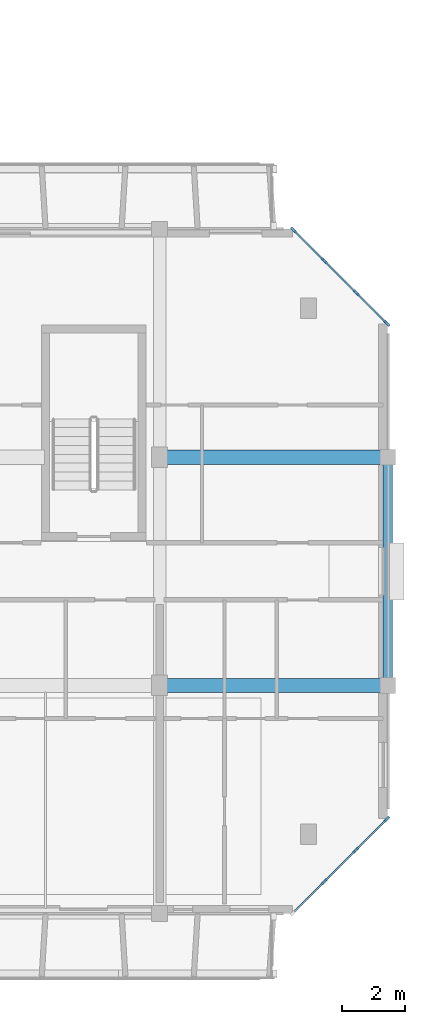
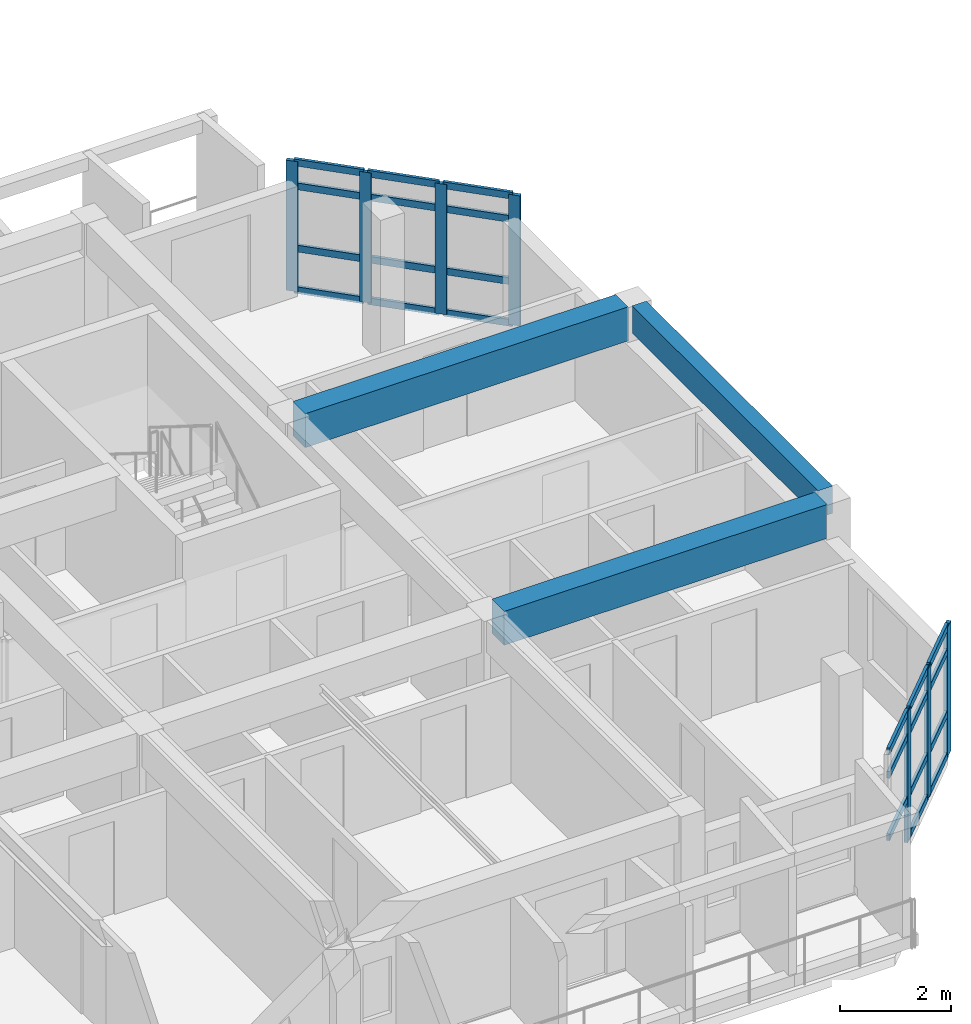
# One storey, part 8 of 45: 30 members, 3 beams, 2 elements without a shape of their own.
"""IFC4 building model written with IfcOpenShell, lengths in metres."""

from ifc_helpers import new_model, si_unit, direction, frame, origin, origin_2d, place, context, subcontext, project, spatial, rectangle, extrude, material, layer, layer_set, material_profile, profile_set, type_object, element, aggregate, save


model = new_model("IFC4")

# Units and contexts
model_context = context("Model", 3, precision=1e-05, world=origin(), true_north=direction((0.0, 1.0)))
body_context = subcontext(model_context, "Body", "Model", "MODEL_VIEW")
ifc_project = project(units=[si_unit("LENGTHUNIT", "METRE"), si_unit("AREAUNIT", "SQUARE_METRE"), si_unit("VOLUMEUNIT", "CUBIC_METRE"), si_unit("PLANEANGLEUNIT", "RADIAN"), si_unit("MASSUNIT", "GRAM", prefix="KILO")], contexts=[model_context])

# Site, building, storey
site_placement = place(None, origin())
site = spatial("IfcSite", under=ifc_project, at=site_placement, CompositionType="ELEMENT")
building_placement = place(site_placement, origin())
building = spatial("IfcBuilding", under=site, at=building_placement, Name="Ochrevale Crest", CompositionType="ELEMENT")
storey_placement = place(building_placement, frame((0.0, 0.0, 18.14990234375)))
storey = spatial("IfcBuildingStorey", under=building, at=storey_placement, Name="L05", CompositionType="ELEMENT", Elevation=18.14990234375)

# Beams
ifc_material_1 = material(Name="Concrete C50/60", Category="concrete")
ifc_material_profile_1 = material_profile(ifc_material_1, rectangle(XDim=0.449951171875, YDim=0.75, at=origin_2d()), Name="RC 450x750")
ifc_profile_set_1 = profile_set([ifc_material_profile_1], Name="Concrete C50/60")
beam_type_1 = type_object("IfcBeamType", Name="BM-PG450x750", PredefinedType="USERDEFINED", material=ifc_profile_set_1)
for number, where, z_axis, x_axis, name in (
    (1, (158.625, 21.60009765625, 2.775146484375), (1.0, 0.0, 0.0), (0.0, 1.0, 0.0), "Block C L05 E-W beam Y=21.6"),
    (2, (158.625, 28.800048828125, 2.775146484375), (1.0, 0.0, 0.0), (0.0, 1.0, 0.0), "Block C L05 E-W beam Y=28.8"),
):
    element("IfcBeam", number, at=place(storey_placement, frame(where, z_axis=z_axis, x_axis=x_axis)), inside=storey, type_object=beam_type_1, Name=name, ObjectType="GIRDER", PredefinedType="USERDEFINED", context=body_context, shape_type="SweptSolid", body=[
        extrude(rectangle(XDim=0.449951171875, YDim=0.75, at=origin_2d()), origin(), (0.0, 0.0, 1.0), 6.75),
    ])
ifc_material_2 = material(Name="Precast concrete C40/50", Category="concrete")
ifc_material_profile_2 = material_profile(ifc_material_2, rectangle(XDim=0.300048828125, YDim=0.60009765625, at=origin_2d()), Name="PC 300x600")
ifc_profile_set_2 = profile_set([ifc_material_profile_2], Name="Precast concrete C40/50")
beam_type_2 = type_object("IfcBeamType", Name="BM-SP300x600", PredefinedType="SPANDREL", material=ifc_profile_set_2)
beam_placement = place(storey_placement, frame((165.60009765625, 21.830078125, 2.85009765625), z_axis=(0.0, 1.0, 0.0), x_axis=(-1.0, 0.0, 0.0)))
element("IfcBeam", 3, at=beam_placement, inside=storey, type_object=beam_type_2, Name="Block C L05 N-S beam X=165.6", PredefinedType="SPANDREL", context=body_context, shape_type="SweptSolid", body=[
    extrude(rectangle(XDim=0.300048828125, YDim=0.60009765625, at=origin_2d()), origin(), (0.0, 0.0, 1.0), 6.739990234375),
])

# Curtain wall, members
ifc_material_3 = material(Name="Anodised aluminium 6063-T5", Category="aluminium")
ifc_layer_1 = layer(ifc_material_3, 0.14990234375)
ifc_layer_set_1 = layer_set([ifc_layer_1], Name="Anodised aluminium 6063-T5")
curtain_wall_type_1 = type_object("IfcCurtainWallType", Name="CW-WG-320x285", PredefinedType="NOTDEFINED", material=ifc_layer_set_1)
curtain_wall_1_placement = place(storey_placement, origin())
curtain_wall_1 = element("IfcCurtainWall", 4, at=curtain_wall_1_placement, inside=storey, type_object=curtain_wall_type_1, Name="Block C L05 chamfered corner wintergarden curtain wall 2", PredefinedType="NOTDEFINED")
ifc_material_profile_3 = material_profile(ifc_material_3, rectangle(XDim=0.074951171875, YDim=0.219970703125, at=origin_2d()), Name="ALU 75x220")
ifc_profile_set_3 = profile_set([ifc_material_profile_3], Name="Anodised aluminium 6063-T5")
member_type_1 = type_object("IfcMemberType", Name="CW-MUL-75x220", PredefinedType="MULLION", material=ifc_profile_set_3)
member_1_placement = place(storey_placement, frame((163.60009765625, 15.39990234375, 0.0), z_axis=(0.0, 0.0, 1.0), x_axis=(-0.707106781187, 0.707106781187, 0.0)))
member_1 = element("IfcMember", 5, at=member_1_placement, type_object=member_type_1, Name="CW17 mullion 2", PredefinedType="MULLION", context=body_context, shape_type="SweptSolid", body=[
    extrude(rectangle(XDim=0.074951171875, YDim=0.219970703125, at=origin_2d()), origin(), (0.0, 0.0, 1.0), 2.875),
])
member_2_placement = place(storey_placement, frame((164.60009765625, 16.39990234375, 0.0), z_axis=(0.0, 0.0, 1.0), x_axis=(-0.707106781187, 0.707106781187, 0.0)))
member_2 = element("IfcMember", 6, at=member_2_placement, type_object=member_type_1, Name="CW17 mullion 3", PredefinedType="MULLION", context=body_context, shape_type="SweptSolid", body=[
    extrude(rectangle(XDim=0.074951171875, YDim=0.219970703125, at=origin_2d()), origin(), (0.0, 0.0, 1.0), 2.875),
])
member_3_placement = place(storey_placement, frame((165.573486328125, 17.37353515625, 0.0), z_axis=(0.0, 0.0, 1.0), x_axis=(-0.707106781187, 0.707106781187, 0.0)))
member_3 = element("IfcMember", 7, at=member_3_placement, type_object=member_type_1, Name="CW17 mullion 4", PredefinedType="MULLION", context=body_context, shape_type="SweptSolid", body=[
    extrude(rectangle(XDim=0.074951171875, YDim=0.219970703125, at=origin_2d()), origin(), (0.0, 0.0, 1.0), 2.875),
])

ifc_layer_2 = layer(ifc_material_3, 0.14990234375)
ifc_layer_set_2 = layer_set([ifc_layer_2], Name="Anodised aluminium 6063-T5")
curtain_wall_type_2 = type_object("IfcCurtainWallType", Name="CW-WG-420x285", PredefinedType="NOTDEFINED", material=ifc_layer_set_2)
curtain_wall_2_placement = place(storey_placement, origin())
curtain_wall_2 = element("IfcCurtainWall", 8, at=curtain_wall_2_placement, inside=storey, type_object=curtain_wall_type_2, Name="Block C L05 chamfered corner wintergarden curtain wall 4", PredefinedType="NOTDEFINED")
member_4_placement = place(storey_placement, frame((165.573486328125, 33.026611328125, 0.0), z_axis=(0.0, 0.0, 1.0), x_axis=(-0.707106781187, -0.707106781187, 0.0)))
member_4 = element("IfcMember", 9, at=member_4_placement, type_object=member_type_1, Name="CW22 mullion 1", PredefinedType="MULLION", context=body_context, shape_type="SweptSolid", body=[
    extrude(rectangle(XDim=0.074951171875, YDim=0.219970703125, at=origin_2d()), origin(), (0.0, 0.0, 1.0), 2.875),
])
member_5_placement = place(storey_placement, frame((164.60009765625, 34.0, 0.0), z_axis=(0.0, 0.0, 1.0), x_axis=(-0.707106781187, -0.707106781187, 0.0)))
member_5 = element("IfcMember", 10, at=member_5_placement, type_object=member_type_1, Name="CW22 mullion 2", PredefinedType="MULLION", context=body_context, shape_type="SweptSolid", body=[
    extrude(rectangle(XDim=0.074951171875, YDim=0.219970703125, at=origin_2d()), origin(), (0.0, 0.0, 1.0), 2.875),
])
member_6_placement = place(storey_placement, frame((163.60009765625, 35.0, 0.0), z_axis=(0.0, 0.0, 1.0), x_axis=(-0.707106781187, -0.707106781187, 0.0)))
member_6 = element("IfcMember", 11, at=member_6_placement, type_object=member_type_1, Name="CW22 mullion 3", PredefinedType="MULLION", context=body_context, shape_type="SweptSolid", body=[
    extrude(rectangle(XDim=0.074951171875, YDim=0.219970703125, at=origin_2d()), origin(), (0.0, 0.0, 1.0), 2.875),
])
member_7_placement = place(storey_placement, frame((162.62646484375, 35.973388671875, 0.0), z_axis=(0.0, 0.0, 1.0), x_axis=(-0.707106781187, -0.707106781187, 0.0)))
member_7 = element("IfcMember", 12, at=member_7_placement, type_object=member_type_1, Name="CW22 mullion 4", PredefinedType="MULLION", context=body_context, shape_type="SweptSolid", body=[
    extrude(rectangle(XDim=0.074951171875, YDim=0.219970703125, at=origin_2d()), origin(), (0.0, 0.0, 1.0), 2.875),
])

# Member
ifc_material_profile_4 = material_profile(ifc_material_3, rectangle(XDim=0.06005859375, YDim=0.14990234375, at=origin_2d()), Name="ALU 60x150")
ifc_profile_set_4 = profile_set([ifc_material_profile_4], Name="Anodised aluminium 6063-T5")
member_type_2 = type_object("IfcMemberType", Name="CW-TRN-60x150", PredefinedType="USERDEFINED", material=ifc_profile_set_4)
member_8_placement = place(storey_placement, frame((162.653076171875, 14.453125, 0.9501953125), z_axis=(0.707106781187, 0.707106781187, 0.0), x_axis=(-0.707106781187, 0.707106781187, 0.0)))
member_8 = element("IfcMember", 13, at=member_8_placement, type_object=member_type_2, Name="CW17 transom 1.2", ObjectType="TRANSOM", PredefinedType="USERDEFINED", context=body_context, shape_type="SweptSolid", body=[
    extrude(rectangle(XDim=0.06005859375, YDim=0.14990234375, at=origin_2d()), origin(), (0.0, 0.0, 1.0), 1.3017578125),
])

member_9_placement = place(storey_placement, frame((162.653076171875, 14.453125, 2.3251953125), z_axis=(0.707106781187, 0.707106781187, 0.0), x_axis=(-0.707106781187, 0.707106781187, 0.0)))
member_9 = element("IfcMember", 14, at=member_9_placement, type_object=member_type_2, Name="CW17 transom 1.3", ObjectType="TRANSOM", PredefinedType="USERDEFINED", context=body_context, shape_type="SweptSolid", body=[
    extrude(rectangle(XDim=0.06005859375, YDim=0.14990234375, at=origin_2d()), origin(), (0.0, 0.0, 1.0), 1.3017578125),
])

member_10_placement = place(storey_placement, frame((162.653076171875, 14.453125, 2.84521484375), z_axis=(0.707106781187, 0.707106781187, 0.0), x_axis=(-0.707106781187, 0.707106781187, 0.0)))
member_10 = element("IfcMember", 15, at=member_10_placement, type_object=member_type_2, Name="CW17 transom 1.4", ObjectType="TRANSOM", PredefinedType="USERDEFINED", context=body_context, shape_type="SweptSolid", body=[
    extrude(rectangle(XDim=0.06005859375, YDim=0.14990234375, at=origin_2d()), origin(), (0.0, 0.0, 1.0), 1.3017578125),
])

member_11_placement = place(storey_placement, frame((163.62646484375, 15.426513671875, 0.030029296875), z_axis=(0.707106781187, 0.707106781187, 0.0), x_axis=(-0.707106781187, 0.707106781187, 0.0)))
member_11 = element("IfcMember", 16, at=member_11_placement, type_object=member_type_2, Name="CW17 transom 2.1", ObjectType="TRANSOM", PredefinedType="USERDEFINED", context=body_context, shape_type="SweptSolid", body=[
    extrude(rectangle(XDim=0.06005859375, YDim=0.14990234375, at=origin_2d()), origin(), (0.0, 0.0, 1.0), 1.33935546875),
])

member_12_placement = place(storey_placement, frame((163.62646484375, 15.426513671875, 0.9501953125), z_axis=(0.707106781187, 0.707106781187, 0.0), x_axis=(-0.707106781187, 0.707106781187, 0.0)))
member_12 = element("IfcMember", 17, at=member_12_placement, type_object=member_type_2, Name="CW17 transom 2.2", ObjectType="TRANSOM", PredefinedType="USERDEFINED", context=body_context, shape_type="SweptSolid", body=[
    extrude(rectangle(XDim=0.06005859375, YDim=0.14990234375, at=origin_2d()), origin(), (0.0, 0.0, 1.0), 1.33935546875),
])

member_13_placement = place(storey_placement, frame((163.62646484375, 15.426513671875, 2.3251953125), z_axis=(0.707106781187, 0.707106781187, 0.0), x_axis=(-0.707106781187, 0.707106781187, 0.0)))
member_13 = element("IfcMember", 18, at=member_13_placement, type_object=member_type_2, Name="CW17 transom 2.3", ObjectType="TRANSOM", PredefinedType="USERDEFINED", context=body_context, shape_type="SweptSolid", body=[
    extrude(rectangle(XDim=0.06005859375, YDim=0.14990234375, at=origin_2d()), origin(), (0.0, 0.0, 1.0), 1.33935546875),
])

member_14_placement = place(storey_placement, frame((163.62646484375, 15.426513671875, 2.84521484375), z_axis=(0.707106781187, 0.707106781187, 0.0), x_axis=(-0.707106781187, 0.707106781187, 0.0)))
member_14 = element("IfcMember", 19, at=member_14_placement, type_object=member_type_2, Name="CW17 transom 2.4", ObjectType="TRANSOM", PredefinedType="USERDEFINED", context=body_context, shape_type="SweptSolid", body=[
    extrude(rectangle(XDim=0.06005859375, YDim=0.14990234375, at=origin_2d()), origin(), (0.0, 0.0, 1.0), 1.33935546875),
])

member_15_placement = place(storey_placement, frame((164.62646484375, 16.426513671875, 0.030029296875), z_axis=(0.707106781187, 0.707106781187, 0.0), x_axis=(-0.707106781187, 0.707106781187, 0.0)))
member_15 = element("IfcMember", 20, at=member_15_placement, type_object=member_type_2, Name="CW17 transom 3.1", ObjectType="TRANSOM", PredefinedType="USERDEFINED", context=body_context, shape_type="SweptSolid", body=[
    extrude(rectangle(XDim=0.06005859375, YDim=0.14990234375, at=origin_2d()), origin(), (0.0, 0.0, 1.0), 1.3017578125),
])

member_16_placement = place(storey_placement, frame((164.62646484375, 16.426513671875, 0.9501953125), z_axis=(0.707106781187, 0.707106781187, 0.0), x_axis=(-0.707106781187, 0.707106781187, 0.0)))
member_16 = element("IfcMember", 21, at=member_16_placement, type_object=member_type_2, Name="CW17 transom 3.2", ObjectType="TRANSOM", PredefinedType="USERDEFINED", context=body_context, shape_type="SweptSolid", body=[
    extrude(rectangle(XDim=0.06005859375, YDim=0.14990234375, at=origin_2d()), origin(), (0.0, 0.0, 1.0), 1.3017578125),
])

member_17_placement = place(storey_placement, frame((164.62646484375, 16.426513671875, 2.3251953125), z_axis=(0.707106781187, 0.707106781187, 0.0), x_axis=(-0.707106781187, 0.707106781187, 0.0)))
member_17 = element("IfcMember", 22, at=member_17_placement, type_object=member_type_2, Name="CW17 transom 3.3", ObjectType="TRANSOM", PredefinedType="USERDEFINED", context=body_context, shape_type="SweptSolid", body=[
    extrude(rectangle(XDim=0.06005859375, YDim=0.14990234375, at=origin_2d()), origin(), (0.0, 0.0, 1.0), 1.3017578125),
])

member_18_placement = place(storey_placement, frame((164.62646484375, 16.426513671875, 2.84521484375), z_axis=(0.707106781187, 0.707106781187, 0.0), x_axis=(-0.707106781187, 0.707106781187, 0.0)))
member_18 = element("IfcMember", 23, at=member_18_placement, type_object=member_type_2, Name="CW17 transom 3.4", ObjectType="TRANSOM", PredefinedType="USERDEFINED", context=body_context, shape_type="SweptSolid", body=[
    extrude(rectangle(XDim=0.06005859375, YDim=0.14990234375, at=origin_2d()), origin(), (0.0, 0.0, 1.0), 1.3017578125),
])

aggregate(curtain_wall_1, [member_1, member_2, member_3, member_8, member_9, member_10, member_11, member_12, member_13, member_14, member_15, member_16, member_17, member_18])

member_19_placement = place(storey_placement, frame((165.546875, 33.052978515625, 0.030029296875), z_axis=(-0.707106781187, 0.707106781187, 0.0), x_axis=(-0.707106781187, -0.707106781187, 0.0)))
member_19 = element("IfcMember", 24, at=member_19_placement, type_object=member_type_2, Name="CW22 transom 1.1", ObjectType="TRANSOM", PredefinedType="USERDEFINED", context=body_context, shape_type="SweptSolid", body=[
    extrude(rectangle(XDim=0.06005859375, YDim=0.14990234375, at=origin_2d()), origin(), (0.0, 0.0, 1.0), 1.3017578125),
])

member_20_placement = place(storey_placement, frame((165.546875, 33.052978515625, 0.9501953125), z_axis=(-0.707106781187, 0.707106781187, 0.0), x_axis=(-0.707106781187, -0.707106781187, 0.0)))
member_20 = element("IfcMember", 25, at=member_20_placement, type_object=member_type_2, Name="CW22 transom 1.2", ObjectType="TRANSOM", PredefinedType="USERDEFINED", context=body_context, shape_type="SweptSolid", body=[
    extrude(rectangle(XDim=0.06005859375, YDim=0.14990234375, at=origin_2d()), origin(), (0.0, 0.0, 1.0), 1.3017578125),
])

member_21_placement = place(storey_placement, frame((165.546875, 33.052978515625, 2.3251953125), z_axis=(-0.707106781187, 0.707106781187, 0.0), x_axis=(-0.707106781187, -0.707106781187, 0.0)))
member_21 = element("IfcMember", 26, at=member_21_placement, type_object=member_type_2, Name="CW22 transom 1.3", ObjectType="TRANSOM", PredefinedType="USERDEFINED", context=body_context, shape_type="SweptSolid", body=[
    extrude(rectangle(XDim=0.06005859375, YDim=0.14990234375, at=origin_2d()), origin(), (0.0, 0.0, 1.0), 1.3017578125),
])

member_22_placement = place(storey_placement, frame((165.546875, 33.052978515625, 2.84521484375), z_axis=(-0.707106781187, 0.707106781187, 0.0), x_axis=(-0.707106781187, -0.707106781187, 0.0)))
member_22 = element("IfcMember", 27, at=member_22_placement, type_object=member_type_2, Name="CW22 transom 1.4", ObjectType="TRANSOM", PredefinedType="USERDEFINED", context=body_context, shape_type="SweptSolid", body=[
    extrude(rectangle(XDim=0.06005859375, YDim=0.14990234375, at=origin_2d()), origin(), (0.0, 0.0, 1.0), 1.3017578125),
])

member_23_placement = place(storey_placement, frame((164.573486328125, 34.026611328125, 0.030029296875), z_axis=(-0.707197932559, 0.707015618062, 0.0), x_axis=(-0.707015618062, -0.707197932559, 0.0)))
member_23 = element("IfcMember", 28, at=member_23_placement, type_object=member_type_2, Name="CW22 transom 2.1", ObjectType="TRANSOM", PredefinedType="USERDEFINED", context=body_context, shape_type="SweptSolid", body=[
    extrude(rectangle(XDim=0.06005859375, YDim=0.14990234375, at=origin_2d()), origin(), (0.0, 0.0, 1.0), 1.339111328125),
])

member_24_placement = place(storey_placement, frame((164.573486328125, 34.026611328125, 0.9501953125), z_axis=(-0.707197932559, 0.707015618062, 0.0), x_axis=(-0.707015618062, -0.707197932559, 0.0)))
member_24 = element("IfcMember", 29, at=member_24_placement, type_object=member_type_2, Name="CW22 transom 2.2", ObjectType="TRANSOM", PredefinedType="USERDEFINED", context=body_context, shape_type="SweptSolid", body=[
    extrude(rectangle(XDim=0.06005859375, YDim=0.14990234375, at=origin_2d()), origin(), (0.0, 0.0, 1.0), 1.339111328125),
])

member_25_placement = place(storey_placement, frame((164.573486328125, 34.026611328125, 2.3251953125), z_axis=(-0.707197932559, 0.707015618062, 0.0), x_axis=(-0.707015618062, -0.707197932559, 0.0)))
member_25 = element("IfcMember", 30, at=member_25_placement, type_object=member_type_2, Name="CW22 transom 2.3", ObjectType="TRANSOM", PredefinedType="USERDEFINED", context=body_context, shape_type="SweptSolid", body=[
    extrude(rectangle(XDim=0.06005859375, YDim=0.14990234375, at=origin_2d()), origin(), (0.0, 0.0, 1.0), 1.339111328125),
])

member_26_placement = place(storey_placement, frame((164.573486328125, 34.026611328125, 2.84521484375), z_axis=(-0.707197932559, 0.707015618062, 0.0), x_axis=(-0.707015618062, -0.707197932559, 0.0)))
member_26 = element("IfcMember", 31, at=member_26_placement, type_object=member_type_2, Name="CW22 transom 2.4", ObjectType="TRANSOM", PredefinedType="USERDEFINED", context=body_context, shape_type="SweptSolid", body=[
    extrude(rectangle(XDim=0.06005859375, YDim=0.14990234375, at=origin_2d()), origin(), (0.0, 0.0, 1.0), 1.339111328125),
])

member_27_placement = place(storey_placement, frame((163.573486328125, 35.026611328125, 0.030029296875), z_axis=(-0.707106781187, 0.707106781187, 0.0), x_axis=(-0.707106781187, -0.707106781187, 0.0)))
member_27 = element("IfcMember", 32, at=member_27_placement, type_object=member_type_2, Name="CW22 transom 3.1", ObjectType="TRANSOM", PredefinedType="USERDEFINED", context=body_context, shape_type="SweptSolid", body=[
    extrude(rectangle(XDim=0.06005859375, YDim=0.14990234375, at=origin_2d()), origin(), (0.0, 0.0, 1.0), 1.3017578125),
])

member_28_placement = place(storey_placement, frame((163.573486328125, 35.026611328125, 0.9501953125), z_axis=(-0.707106781187, 0.707106781187, 0.0), x_axis=(-0.707106781187, -0.707106781187, 0.0)))
member_28 = element("IfcMember", 33, at=member_28_placement, type_object=member_type_2, Name="CW22 transom 3.2", ObjectType="TRANSOM", PredefinedType="USERDEFINED", context=body_context, shape_type="SweptSolid", body=[
    extrude(rectangle(XDim=0.06005859375, YDim=0.14990234375, at=origin_2d()), origin(), (0.0, 0.0, 1.0), 1.3017578125),
])

member_29_placement = place(storey_placement, frame((163.573486328125, 35.026611328125, 2.3251953125), z_axis=(-0.707106781187, 0.707106781187, 0.0), x_axis=(-0.707106781187, -0.707106781187, 0.0)))
member_29 = element("IfcMember", 34, at=member_29_placement, type_object=member_type_2, Name="CW22 transom 3.3", ObjectType="TRANSOM", PredefinedType="USERDEFINED", context=body_context, shape_type="SweptSolid", body=[
    extrude(rectangle(XDim=0.06005859375, YDim=0.14990234375, at=origin_2d()), origin(), (0.0, 0.0, 1.0), 1.3017578125),
])

member_30_placement = place(storey_placement, frame((163.573486328125, 35.026611328125, 2.84521484375), z_axis=(-0.707106781187, 0.707106781187, 0.0), x_axis=(-0.707106781187, -0.707106781187, 0.0)))
member_30 = element("IfcMember", 35, at=member_30_placement, type_object=member_type_2, Name="CW22 transom 3.4", ObjectType="TRANSOM", PredefinedType="USERDEFINED", context=body_context, shape_type="SweptSolid", body=[
    extrude(rectangle(XDim=0.06005859375, YDim=0.14990234375, at=origin_2d()), origin(), (0.0, 0.0, 1.0), 1.3017578125),
])

aggregate(curtain_wall_2, [member_4, member_5, member_6, member_7, member_19, member_20, member_21, member_22, member_23, member_24, member_25, member_26, member_27, member_28, member_29, member_30])

save(model, "model.ifc")
